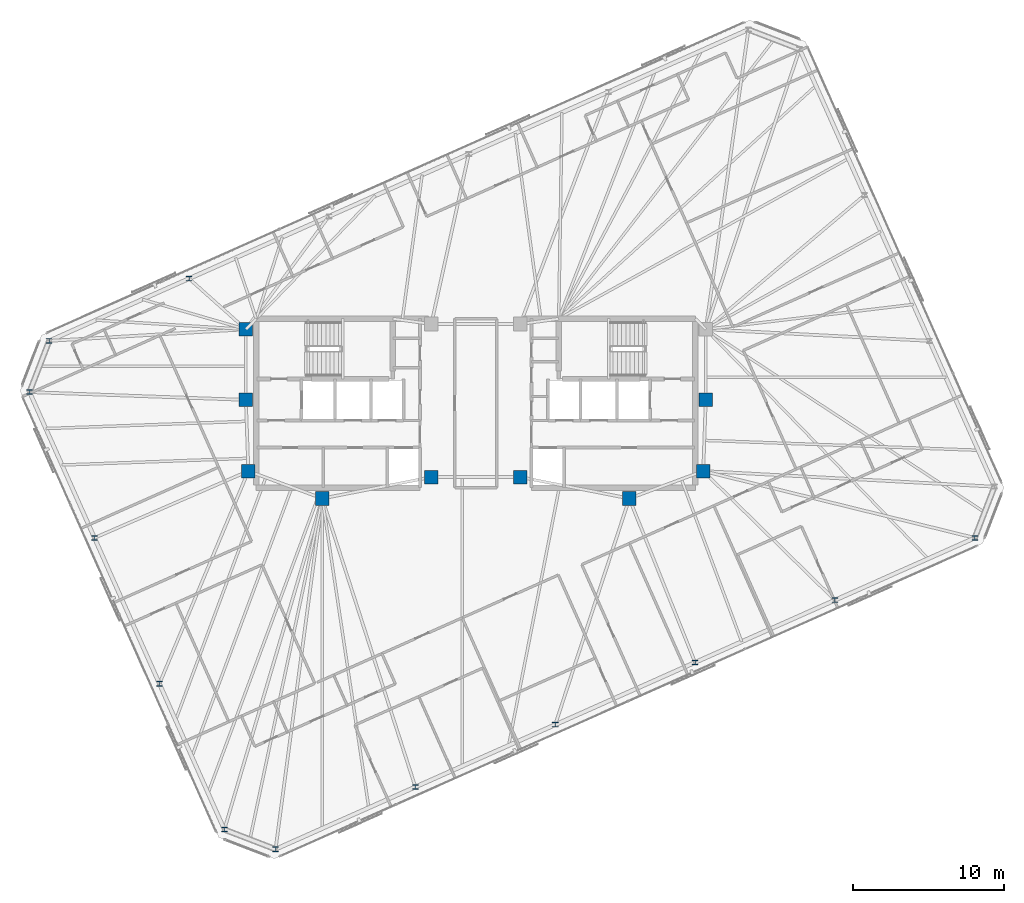
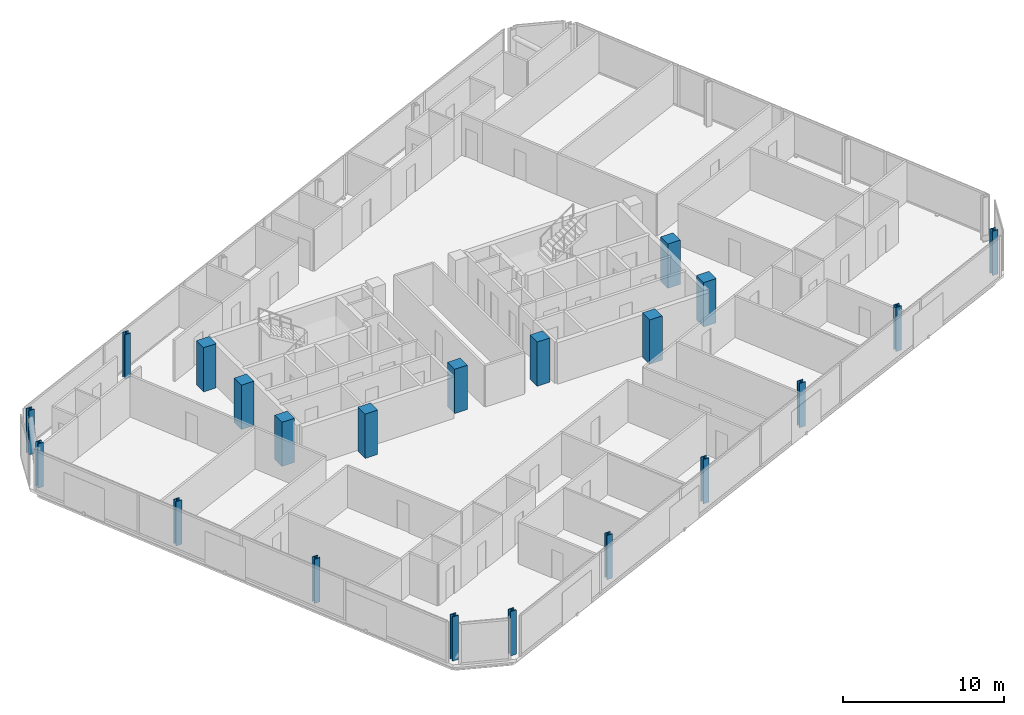
# One storey, part 1 of 18: 21 columns.
"""IFC4 building model written with IfcOpenShell, lengths in metres."""

from ifc_helpers import new_model, si_unit, direction, frame, origin, origin_2d, place, context, subcontext, project, spatial, rectangle, i_section, extrude, material, material_profile, profile_set, type_object, element, save


model = new_model("IFC4")

# Units and contexts
model_context = context("Model", 3, precision=1e-05, world=origin(), true_north=direction((0.0, 1.0)))
body_context = subcontext(model_context, "Body", "Model", "MODEL_VIEW")
ifc_project = project(units=[si_unit("LENGTHUNIT", "METRE"), si_unit("AREAUNIT", "SQUARE_METRE"), si_unit("VOLUMEUNIT", "CUBIC_METRE"), si_unit("PLANEANGLEUNIT", "RADIAN"), si_unit("MASSUNIT", "GRAM", prefix="KILO")], contexts=[model_context])

# Site, building, storey
site_placement = place(None, origin())
site = spatial("IfcSite", under=ifc_project, at=site_placement, CompositionType="ELEMENT")
building_placement = place(site_placement, origin())
building = spatial("IfcBuilding", under=site, at=building_placement, Name="Menara Jurai Vektor", CompositionType="ELEMENT")
storey_placement = place(building_placement, frame((0.0, 0.0, 298.64990234375)))
storey = spatial("IfcBuildingStorey", under=building, at=storey_placement, Name="L80", CompositionType="ELEMENT", Elevation=298.64990234375)

# Columns
ifc_material_1 = material(Name="Concrete C50/60", Category="concrete")
ifc_material_profile_1 = material_profile(ifc_material_1, rectangle(XDim=0.89990234375, YDim=0.89990234375, at=origin_2d()), Name="RC 900x900")
ifc_profile_set_1 = profile_set([ifc_material_profile_1], Name="Concrete C50/60")
column_type_1 = type_object("IfcColumnType", Name="STR-COL-RC900", PredefinedType="COLUMN", material=ifc_profile_set_1)
for number, where, z_axis, x_axis, name in (
    (1, (-15.25, 4.89990234375, 0.0), (0.0, 0.0, 1.0), (1.0, 0.0, 0.0), "Core Spine Column CW-NW L80"),
    (2, (-15.25, 0.219970703125, 0.0), (0.0, 0.0, 1.0), (1.0, 0.0, 0.0), "Core Spine Column CW-WM L80"),
    (3, (-15.080078125, -4.5, 0.0), (0.0, 0.0, 1.0), (1.0, 0.0, 0.0), "Core Spine Column CW-SW L80"),
    (4, (-10.179931640625, -6.320068359375, 0.0), (0.0, 0.0, 1.0), (1.0, 0.0, 0.0), "Core Spine Column CW-SM L80"),
    (5, (-2.949951171875, -4.89990234375, 0.0), (0.0, 0.0, 1.0), (1.0, 0.0, 0.0), "Core Spine Column CW-SE L80"),
    (6, (15.25, 0.219970703125, 0.0), (0.0, 0.0, 1.0), (1.0, 0.0, 0.0), "Core Spine Column CE-EM L80"),
    (7, (15.080078125, -4.5, 0.0), (0.0, 0.0, 1.0), (1.0, 0.0, 0.0), "Core Spine Column CE-SE L80"),
    (8, (10.179931640625, -6.320068359375, 0.0), (0.0, 0.0, 1.0), (1.0, 0.0, 0.0), "Core Spine Column CE-SM L80"),
    (9, (2.949951171875, -4.89990234375, 0.0), (0.0, 0.0, 1.0), (1.0, 0.0, 0.0), "Core Spine Column CE-SW L80"),
):
    element("IfcColumn", number, at=place(storey_placement, frame(where, z_axis=z_axis, x_axis=x_axis)), inside=storey, type_object=column_type_1, Name=name, PredefinedType="COLUMN", context=body_context, shape_type="SweptSolid", body=[
        extrude(rectangle(XDim=0.89990234375, YDim=0.89990234375, at=origin_2d()), origin(), (0.0, 0.0, 1.0), 3.35009765625),
    ])
ifc_material_2 = material(Name="Steel S460", Category="steel")
ifc_material_profile_2 = material_profile(ifc_material_2, i_section(OverallWidth=0.40087890625, OverallDepth=0.3349609375, WebThickness=0.035888671875, FlangeThickness=0.05810546875, FilletRadius=0.014892578125, at=origin_2d()), Name="HD 400x463")
ifc_profile_set_2 = profile_set([ifc_material_profile_2], Name="Steel S460")
column_type_2 = type_object("IfcColumnType", Name="STR-EXO-BLK5", PredefinedType="COLUMN", material=ifc_profile_set_2)
for number, where, z_axis, x_axis, name in (
    (10, (-13.279541015625, -29.576904296875, 0.0), (0.0, 0.0, 1.0), (1.0, 0.0, 0.0), "Exoskeleton Column BLK5-S1 L80"),
    (11, (-4.006103515625, -25.4482421875, 0.0), (0.0, 0.0, 1.0), (1.0, 0.0, 0.0), "Exoskeleton Column BLK5-S2 L80"),
    (12, (5.267578125, -21.3193359375, 0.0), (0.0, 0.0, 1.0), (1.0, 0.0, 0.0), "Exoskeleton Column BLK5-S3 L80"),
    (13, (14.541015625, -17.1904296875, 0.0), (0.0, 0.0, 1.0), (1.0, 0.0, 0.0), "Exoskeleton Column BLK5-S4 L80"),
    (14, (23.814453125, -13.061767578125, 0.0), (0.0, 0.0, 1.0), (1.0, 0.0, 0.0), "Exoskeleton Column BLK5-S5 L80"),
    (15, (33.088134765625, -8.932861328125, 0.0), (0.0, 0.0, 1.0), (1.0, 0.0, 0.0), "Exoskeleton Column BLK5-S6 L80"),
    (16, (-19.0146484375, 8.26171875, 0.0), (0.0, 0.0, 1.0), (1.0, 0.0, 0.0), "Exoskeleton Column BLK5-N5 L80"),
    (17, (-28.2880859375, 4.1328125, 0.0), (0.0, 0.0, 1.0), (1.0, 0.0, 0.0), "Exoskeleton Column BLK5-N6 L80"),
    (18, (-29.591796875, 0.73681640625, 0.0), (0.0, 0.0, 1.0), (1.0, 0.0, 0.0), "Exoskeleton Column BLK5-W1 L80"),
    (19, (-25.286376953125, -8.933349609375, 0.0), (0.0, 0.0, 1.0), (1.0, 0.0, 0.0), "Exoskeleton Column BLK5-W2 L80"),
    (20, (-20.98095703125, -18.603271484375, 0.0), (0.0, 0.0, 1.0), (1.0, 0.0, 0.0), "Exoskeleton Column BLK5-W3 L80"),
    (21, (-16.675537109375, -28.2734375, 0.0), (0.0, 0.0, 1.0), (1.0, 0.0, 0.0), "Exoskeleton Column BLK5-W4 L80"),
):
    element("IfcColumn", number, at=place(storey_placement, frame(where, z_axis=z_axis, x_axis=x_axis)), inside=storey, type_object=column_type_2, Name=name, PredefinedType="COLUMN", context=body_context, shape_type="SweptSolid", body=[
        extrude(i_section(OverallWidth=0.40087890625, OverallDepth=0.3349609375, WebThickness=0.035888671875, FlangeThickness=0.05810546875, FilletRadius=0.014892578125, at=origin_2d()), origin(), (0.0, 0.0, 1.0), 3.35009765625),
    ])

save(model, "model.ifc")
